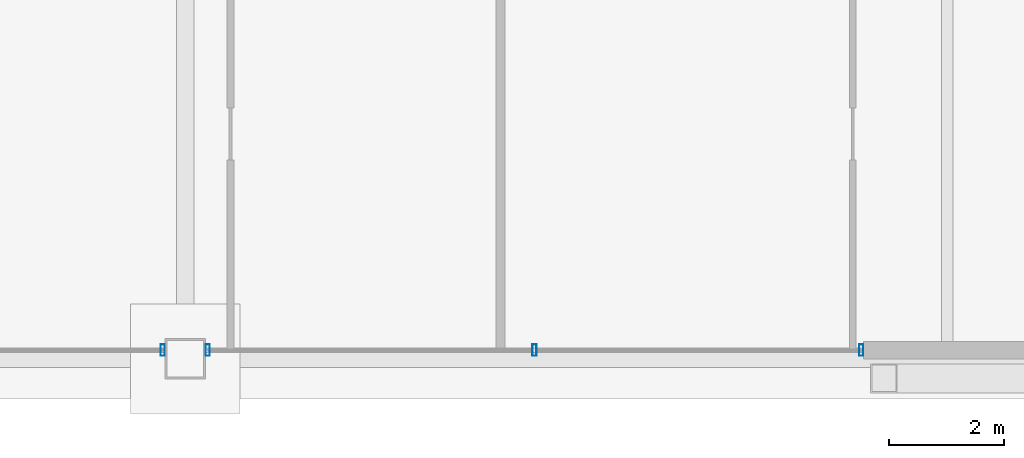
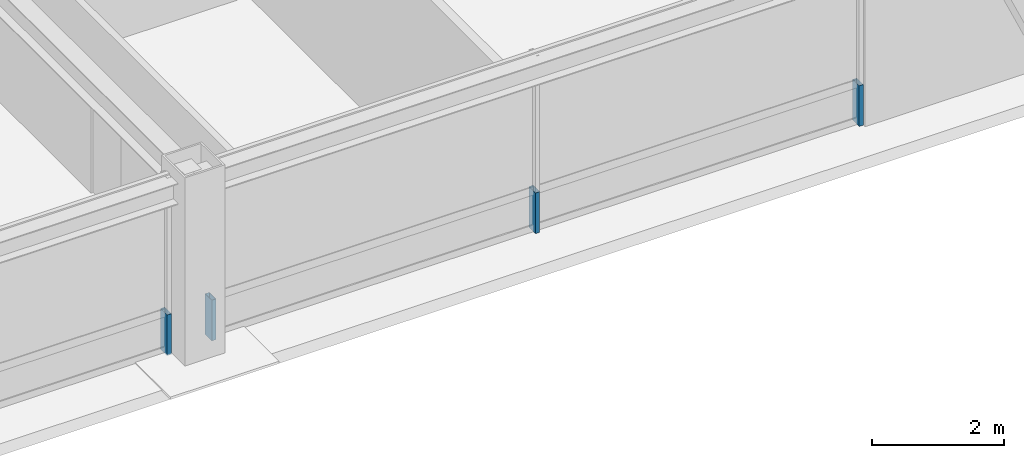
# One storey, part 23 of 35: 4 members, 2 elements without a shape of their own.
"""IFC4 building model written with IfcOpenShell, lengths in metres."""

import ifcopenshell
import ifcopenshell.guid

model = None  # the IFC model being written
_history = None  # IfcOwnerHistory: only IFC2X3 demands one
_inside = {}  # id of a spatial element -> (the spatial element, [elements in it])
_under = {}  # id of a project, library or spatial element -> (it, [spatial elements below it])
_declared = {}  # id of a project -> (the project, [libraries it declares])
_typed = {}  # id of a type object -> (the type object, [elements of that type])
_made_of = {}  # id of a material, layer set ... -> (it, [elements and type objects made of it])


def new_model(schema):
    """Start an empty IFC model of exactly this schema.

    Asked for "IFC4X3", IfcOpenShell would pick the latest addendum, in which some entities
    have other attributes; the version numbers below select the first issue.
    IFC2X3 requires an IfcOwnerHistory on every rooted entity: one is made here for all.
    """
    global model, _history
    if schema == "IFC4X3":
        model = ifcopenshell.file(schema_version=(4, 3, 0, 0))
    else:
        model = ifcopenshell.file(schema=schema)
    _inside.clear()
    _under.clear()
    _declared.clear()
    _typed.clear()
    _made_of.clear()
    _history = None
    if model.schema == "IFC2X3":
        org = make("IfcOrganization", Name="unknown")
        user = make(
            "IfcPersonAndOrganization",
            ThePerson=make("IfcPerson", FamilyName="unknown"),
            TheOrganization=org,
        )
        app = make(
            "IfcApplication",
            ApplicationDeveloper=org,
            Version="unknown",
            ApplicationFullName="unknown",
            ApplicationIdentifier="unknown",
        )
        _history = make(
            "IfcOwnerHistory",
            OwningUser=user,
            OwningApplication=app,
            ChangeAction="ADDED",
            CreationDate=0,
        )
    return model


def make(cls, **values):
    """One entity of the class cls with the attributes given. An attribute that is None is left unset."""
    return model.create_entity(
        cls, **{name: value for name, value in values.items() if value is not None}
    )


def rooted(cls, **values):
    """An entity with a GlobalId (a new one), such as an element, a storey or a relation."""
    return make(cls, GlobalId=ifcopenshell.guid.new(), OwnerHistory=_history, **values)


def si_unit(unit_type, name, prefix=None):
    """IfcSIUnit, for example si_unit("LENGTHUNIT", "METRE", prefix="MILLI")."""
    return make("IfcSIUnit", UnitType=unit_type, Prefix=prefix, Name=name)


def assignment(units):
    """IfcUnitAssignment: the units of a project."""
    return None if units is None else make("IfcUnitAssignment", Units=units)


def point(xyz):
    """IfcCartesianPoint."""
    return None if xyz is None else make("IfcCartesianPoint", Coordinates=xyz)


def direction(xyz):
    """IfcDirection."""
    return None if xyz is None else make("IfcDirection", DirectionRatios=xyz)


def frame(location, z_axis=None, x_axis=None):
    """IfcAxis2Placement3D, a coordinate frame: its origin and axes. An axis left out is left unset."""
    return make(
        "IfcAxis2Placement3D",
        Location=point(location),
        Axis=direction(z_axis),
        RefDirection=direction(x_axis),
    )


def frame_2d(location, x_axis=None):
    """IfcAxis2Placement2D, a coordinate frame in the plane: its origin and x axis."""
    return make(
        "IfcAxis2Placement2D", Location=point(location), RefDirection=direction(x_axis)
    )


def origin():
    """The frame at (0, 0, 0) with its axes left unset."""
    return frame((0.0, 0.0, 0.0))


def origin_2d():
    """The frame at (0, 0) in the plane with its x axis left unset."""
    return frame_2d((0.0, 0.0))


def place(relative_to, where):
    """IfcLocalPlacement: puts the frame where relative to a parent placement (None: the world)."""
    return make(
        "IfcLocalPlacement", PlacementRelTo=relative_to, RelativePlacement=where
    )


def context(
    kind, dimensions, precision=None, world=None, true_north=None, identifier=None
):
    """IfcGeometricRepresentationContext, for example the 3D "Model" context."""
    return make(
        "IfcGeometricRepresentationContext",
        ContextIdentifier=identifier,
        ContextType=kind,
        CoordinateSpaceDimension=dimensions,
        Precision=precision,
        WorldCoordinateSystem=world,
        TrueNorth=true_north,
    )


def subcontext(parent, identifier, kind, view, scale=None):
    """IfcGeometricRepresentationSubContext, for example "Body" below "Model"."""
    return make(
        "IfcGeometricRepresentationSubContext",
        ContextIdentifier=identifier,
        ContextType=kind,
        ParentContext=parent,
        TargetScale=scale,
        TargetView=view,
    )


def project(units=None, contexts=None):
    """IfcProject with its units and contexts."""
    return rooted(
        "IfcProject",
        Name="project",
        RepresentationContexts=contexts,
        UnitsInContext=assignment(units),
    )


def spatial(cls, under=None, at=None, **own):
    """A site, building, storey or space (cls), placed at a placement, below another one or the project."""
    s = rooted(cls, ObjectPlacement=at, **own)
    if under is not None:
        _under.setdefault(under.id(), (under, []))[1].append(s)
    return s


def profile(cls, at=None, kind="AREA", **sizes):
    """A parametric profile (cls). Its sizes go by their IFC names, for example OverallWidth=200.0."""
    return make(cls, ProfileType=kind, Position=at, **sizes)


def hollow_rectangle(**sizes):
    """IfcRectangleHollowProfileDef."""
    return profile("IfcRectangleHollowProfileDef", **sizes)


def extrude(swept, where, along, depth):
    """IfcExtrudedAreaSolid: the profile swept, set in the frame where, extruded along a direction by depth."""
    return make(
        "IfcExtrudedAreaSolid",
        SweptArea=swept,
        Position=where,
        ExtrudedDirection=direction(along),
        Depth=depth,
    )


def shape(context_of_items, identifier, shape_type, items):
    """IfcShapeRepresentation: the items that make up one representation, for example the "Body"."""
    return make(
        "IfcShapeRepresentation",
        ContextOfItems=context_of_items,
        RepresentationIdentifier=identifier,
        RepresentationType=shape_type,
        Items=items,
    )


def source(mapping_origin, context_of_items, identifier, shape_type, items):
    """IfcRepresentationMap: a shape defined once, which mapped items show again and again."""
    return make(
        "IfcRepresentationMap",
        MappingOrigin=mapping_origin,
        MappedRepresentation=shape(context_of_items, identifier, shape_type, items),
    )


def transform(
    local_origin,
    x_axis=None,
    y_axis=None,
    z_axis=None,
    scale=None,
    scale2=None,
    scale3=None,
    uniform=True,
):
    """IfcCartesianTransformationOperator3D, or its non-uniform kind. x_axis, y_axis, z_axis: its Axis1, 2, 3."""
    if uniform:
        return make(
            "IfcCartesianTransformationOperator3D",
            Axis1=direction(x_axis),
            Axis2=direction(y_axis),
            LocalOrigin=point(local_origin),
            Scale=scale,
            Axis3=direction(z_axis),
        )
    return make(
        "IfcCartesianTransformationOperator3DnonUniform",
        Axis1=direction(x_axis),
        Axis2=direction(y_axis),
        LocalOrigin=point(local_origin),
        Scale=scale,
        Axis3=direction(z_axis),
        Scale2=scale2,
        Scale3=scale3,
    )


def mapped(mapping_source, mapping_target):
    """IfcMappedItem: shows the shape of a source again, moved by a transform."""
    return make(
        "IfcMappedItem", MappingSource=mapping_source, MappingTarget=mapping_target
    )


def material(Name=None, Category=None):
    """IfcMaterial."""
    return make("IfcMaterial", Name=Name, Category=Category)


def layer(
    of_material, thickness, ventilated=None, Name=None, Category=None, Priority=None
):
    """IfcMaterialLayer: one layer of a wall or slab, of a material (None: an air gap)."""
    return make(
        "IfcMaterialLayer",
        Material=of_material,
        LayerThickness=thickness,
        IsVentilated=ventilated,
        Name=Name,
        Category=Category,
        Priority=Priority,
    )


def layer_set(layers, Name=None):
    """IfcMaterialLayerSet."""
    return make("IfcMaterialLayerSet", MaterialLayers=layers, LayerSetName=Name)


def material_profile(
    of_material, cross_section, Name=None, Category=None, Priority=None
):
    """IfcMaterialProfile: a cross section and its material."""
    return make(
        "IfcMaterialProfile",
        Name=Name,
        Material=of_material,
        Profile=cross_section,
        Priority=Priority,
        Category=Category,
    )


def profile_set(profiles, Name=None, composite=None):
    """IfcMaterialProfileSet."""
    return make(
        "IfcMaterialProfileSet",
        Name=Name,
        MaterialProfiles=profiles,
        CompositeProfile=composite,
    )


def made_of(thing, what):
    """Note that an element or type object is made of a material, layer set ...; save() writes the relation."""
    if what is not None:
        _made_of.setdefault(what.id(), (what, []))[1].append(thing)
    return thing


def type_object(cls, material=None, **own):
    """A type object (cls), such as IfcWallType, which elements share."""
    return made_of(rooted(cls, **own), material)


def element(
    cls,
    number,
    at=None,
    inside=None,
    cuts=None,
    type_object=None,
    material=None,
    context=None,
    identifier="Body",
    shape_type=None,
    held_by="IfcProductDefinitionShape",
    body=None,
    shapes=None,
    **own,
):
    """One element of the class cls, such as IfcWall. Its Tag is "e" and its number.

    at: its placement. inside: the storey or other place that contains it. cuts: it is an
    opening in that element (IfcRelVoidsElement). A single representation is given by context,
    identifier, shape_type and body (its items); several are given by shapes. held_by: the class
    of the entity that holds the representations. save() writes the other relations.
    """
    e = rooted(cls, Tag="e%d" % number, ObjectPlacement=at, **own)
    if body is not None:
        shapes = [shape(context, identifier, shape_type, body)]
    if shapes is not None:
        e.Representation = make(held_by, Representations=shapes)
    if inside is not None:
        _inside.setdefault(inside.id(), (inside, []))[1].append(e)
    if cuts is not None:
        rooted(
            "IfcRelVoidsElement", RelatingBuildingElement=cuts, RelatedOpeningElement=e
        )
    if type_object is not None:
        _typed.setdefault(type_object.id(), (type_object, []))[1].append(e)
    return made_of(e, material)


def aggregate(whole, parts):
    """IfcRelAggregates: a whole, such as a stair, and the parts it consists of."""
    return rooted("IfcRelAggregates", RelatingObject=whole, RelatedObjects=parts)


def save(model, path):
    """Write the relations noted so far, then the file.

    IfcRelAggregates (storeys below a building ...), IfcRelContainedInSpatialStructure (elements
    in a storey), IfcRelDefinesByType, IfcRelAssociatesMaterial and IfcRelDeclares: one each for
    every whole, place, type object, material and project.
    """
    for whole, parts in _under.values():
        aggregate(whole, parts)
    for where, things in _inside.values():
        rooted(
            "IfcRelContainedInSpatialStructure",
            RelatedElements=things,
            RelatingStructure=where,
        )
    for kind, things in _typed.values():
        rooted("IfcRelDefinesByType", RelatedObjects=things, RelatingType=kind)
    for what, things in _made_of.values():
        rooted("IfcRelAssociatesMaterial", RelatedObjects=things, RelatingMaterial=what)
    for by, libraries in _declared.values():
        rooted("IfcRelDeclares", RelatingContext=by, RelatedDefinitions=libraries)
    model.write(path)


model = new_model("IFC4")

# Units and contexts
model_context = context("Model", 3, precision=1e-05, world=origin(), true_north=direction((0.0, 1.0)))
body_context = subcontext(model_context, "Body", "Model", "MODEL_VIEW")
ifc_project = project(units=[si_unit("LENGTHUNIT", "METRE"), si_unit("AREAUNIT", "SQUARE_METRE"), si_unit("VOLUMEUNIT", "CUBIC_METRE"), si_unit("PLANEANGLEUNIT", "RADIAN"), si_unit("MASSUNIT", "GRAM", prefix="KILO"), si_unit("THERMODYNAMICTEMPERATUREUNIT", "KELVIN"), si_unit("POWERUNIT", "WATT")], contexts=[model_context])

# Site, building, storey
site_placement = place(None, origin())
site = spatial("IfcSite", under=ifc_project, at=site_placement, CompositionType="ELEMENT")
building_placement = place(site_placement, origin())
building = spatial("IfcBuilding", under=site, at=building_placement, Name="Yuzanri Waterfront Tower", CompositionType="ELEMENT")
storey_placement = place(building_placement, frame((0.0, 0.0, 285.60009765625)))
storey = spatial("IfcBuildingStorey", under=building, at=storey_placement, Name="L76", CompositionType="ELEMENT", Elevation=285.60009765625)

# Curtain wall, member
ifc_material_1 = material(Name="Anodized Architectural Bronze", Category="metal")
ifc_layer = layer(ifc_material_1, 0.159912109375)
ifc_layer_set = layer_set([ifc_layer], Name="Anodized Architectural Bronze")
curtain_wall_type = type_object("IfcCurtainWallType", Name="Anodized Bronze High-Rise Penthouse High-Wind Unitized Curtain Wall 6900", PredefinedType="NOTDEFINED", material=ifc_layer_set)
curtain_wall_1_placement = place(storey_placement, origin())
curtain_wall_1 = element("IfcCurtainWall", 1, at=curtain_wall_1_placement, inside=storey, type_object=curtain_wall_type, Name="L76 Curtain Wall CW-L76-SL", PredefinedType="NOTDEFINED")
ifc_material_2 = material(Name="Anodized Architectural Bronze", Category="metal")
ifc_material_profile = material_profile(ifc_material_2, hollow_rectangle(XDim=0.074951171875, YDim=0.199951171875, WallThickness=0.00390625, at=origin_2d()), Name="CWM 75x200")
ifc_profile_set = profile_set([ifc_material_profile], Name="Anodized Architectural Bronze")
member_type = type_object("IfcMemberType", Name="Anodized Bronze Primary Curtain-Wall Mullion 75x200", PredefinedType="MULLION", material=ifc_profile_set)
shared_shape = source(origin(), body_context, "Body", "SweptSolid", [
    extrude(hollow_rectangle(XDim=0.074951171875, YDim=0.199951171875, WallThickness=0.00390625, at=origin_2d()), origin(), (0.0, 0.0, 1.0), 0.751953125),
])
member_1_placement = place(storey_placement, frame((36.610107421875, 6.85009765625, 0.0), z_axis=(0.0, 0.0, 1.0), x_axis=(1.0, 0.0, 0.0)))
member_1 = element("IfcMember", 2, at=member_1_placement, type_object=member_type, Name="CW-L76-SL Lower Mullion 02", PredefinedType="MULLION", context=body_context, shape_type="MappedRepresentation", body=[
    mapped(shared_shape, transform((0.0, 0.0, 0.0), scale=1.0)),
])
aggregate(curtain_wall_1, [member_1])

# Curtain wall, members
curtain_wall_2_placement = place(storey_placement, origin())
curtain_wall_2 = element("IfcCurtainWall", 3, at=curtain_wall_2_placement, inside=storey, type_object=curtain_wall_type, Name="L76 Curtain Wall CW-L76-SR", PredefinedType="NOTDEFINED")
member_2_placement = place(storey_placement, frame((37.389892578125, 6.85009765625, 0.0), z_axis=(0.0, 0.0, 1.0), x_axis=(1.0, 0.0, 0.0)))
member_2 = element("IfcMember", 4, at=member_2_placement, type_object=member_type, Name="CW-L76-SR Lower Mullion 00", PredefinedType="MULLION", context=body_context, shape_type="MappedRepresentation", body=[
    mapped(shared_shape, transform((0.0, 0.0, 0.0), scale=1.0)),
])
member_3_placement = place(storey_placement, frame((43.050048828125, 6.85009765625, 0.0), z_axis=(0.0, 0.0, 1.0), x_axis=(1.0, 0.0, 0.0)))
member_3 = element("IfcMember", 5, at=member_3_placement, type_object=member_type, Name="CW-L76-SR Lower Mullion 01", PredefinedType="MULLION", context=body_context, shape_type="MappedRepresentation", body=[
    mapped(shared_shape, transform((0.0, 0.0, 0.0), scale=1.0)),
])
member_4_placement = place(storey_placement, frame((48.7099609375, 6.85009765625, 0.0), z_axis=(0.0, 0.0, 1.0), x_axis=(1.0, 0.0, 0.0)))
member_4 = element("IfcMember", 6, at=member_4_placement, type_object=member_type, Name="CW-L76-SR Lower Mullion 02", PredefinedType="MULLION", context=body_context, shape_type="MappedRepresentation", body=[
    mapped(shared_shape, transform((0.0, 0.0, 0.0), scale=1.0)),
])
aggregate(curtain_wall_2, [member_2, member_3, member_4])

save(model, "model.ifc")
